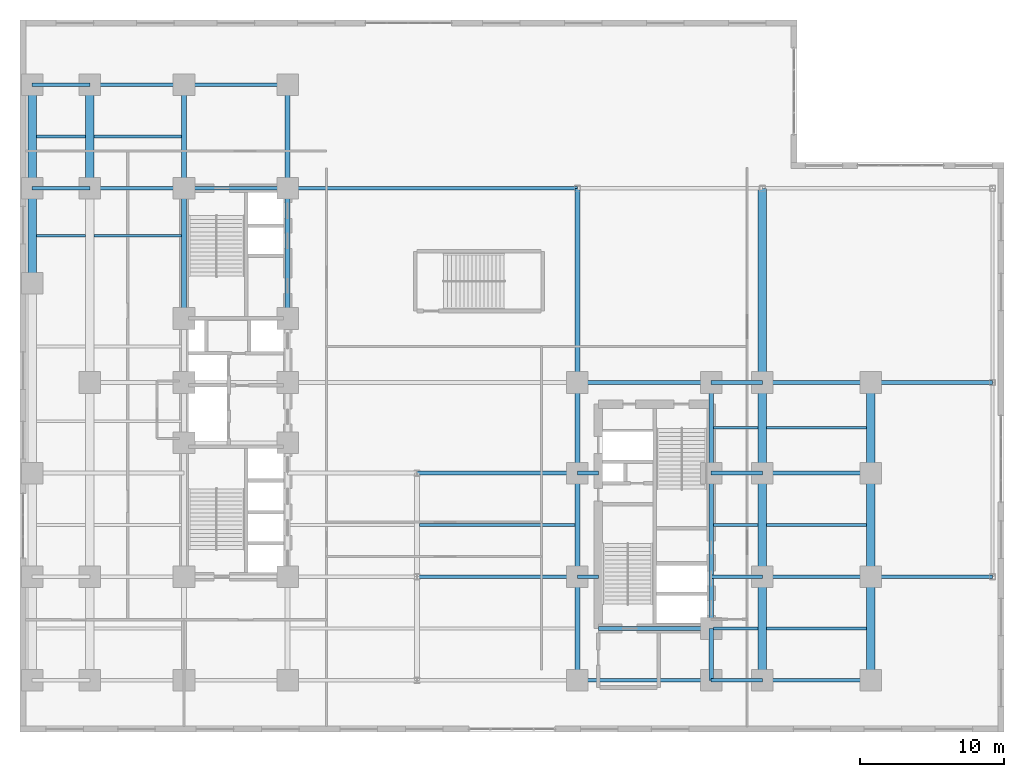
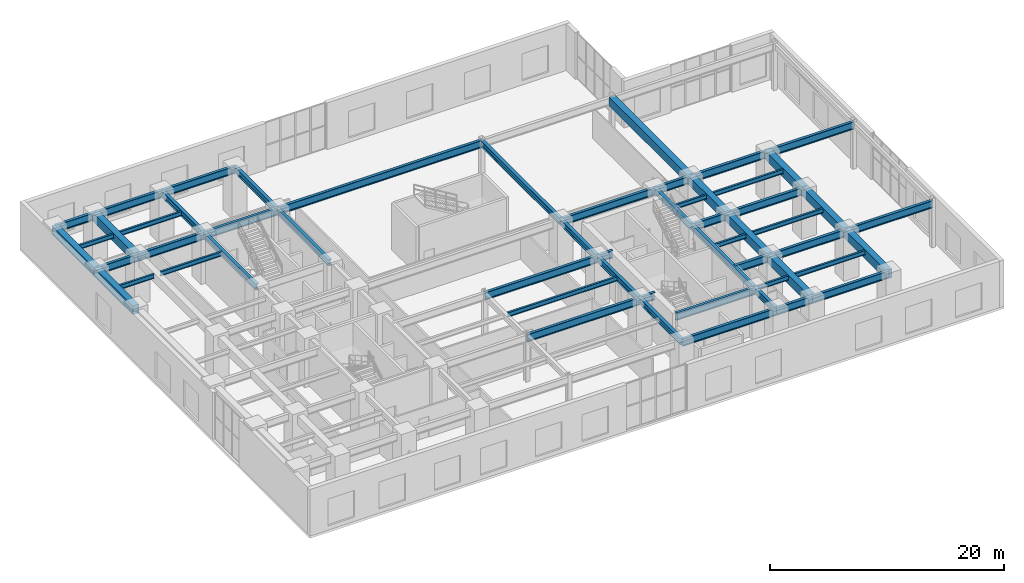
# One storey, part 11 of 23: 56 beams.
"""IFC4 building model written with IfcOpenShell, lengths in metres."""

import ifcopenshell
import ifcopenshell.guid

model = None  # the IFC model being written
_history = None  # IfcOwnerHistory: only IFC2X3 demands one
_inside = {}  # id of a spatial element -> (the spatial element, [elements in it])
_under = {}  # id of a project, library or spatial element -> (it, [spatial elements below it])
_declared = {}  # id of a project -> (the project, [libraries it declares])
_typed = {}  # id of a type object -> (the type object, [elements of that type])
_made_of = {}  # id of a material, layer set ... -> (it, [elements and type objects made of it])


def new_model(schema):
    """Start an empty IFC model of exactly this schema.

    Asked for "IFC4X3", IfcOpenShell would pick the latest addendum, in which some entities
    have other attributes; the version numbers below select the first issue.
    IFC2X3 requires an IfcOwnerHistory on every rooted entity: one is made here for all.
    """
    global model, _history
    if schema == "IFC4X3":
        model = ifcopenshell.file(schema_version=(4, 3, 0, 0))
    else:
        model = ifcopenshell.file(schema=schema)
    _inside.clear()
    _under.clear()
    _declared.clear()
    _typed.clear()
    _made_of.clear()
    _history = None
    if model.schema == "IFC2X3":
        org = make("IfcOrganization", Name="unknown")
        user = make(
            "IfcPersonAndOrganization",
            ThePerson=make("IfcPerson", FamilyName="unknown"),
            TheOrganization=org,
        )
        app = make(
            "IfcApplication",
            ApplicationDeveloper=org,
            Version="unknown",
            ApplicationFullName="unknown",
            ApplicationIdentifier="unknown",
        )
        _history = make(
            "IfcOwnerHistory",
            OwningUser=user,
            OwningApplication=app,
            ChangeAction="ADDED",
            CreationDate=0,
        )
    return model


def make(cls, **values):
    """One entity of the class cls with the attributes given. An attribute that is None is left unset."""
    return model.create_entity(
        cls, **{name: value for name, value in values.items() if value is not None}
    )


def entity(cls, *values):
    """Any entity or typed value of the class cls, its attributes in the order of the schema. None: left unset."""
    e = model.create_entity(cls)
    for i, value in enumerate(values):
        if value is not None:
            e[i] = value
    return e


def rooted(cls, **values):
    """An entity with a GlobalId (a new one), such as an element, a storey or a relation."""
    return make(cls, GlobalId=ifcopenshell.guid.new(), OwnerHistory=_history, **values)


def si_unit(unit_type, name, prefix=None):
    """IfcSIUnit, for example si_unit("LENGTHUNIT", "METRE", prefix="MILLI")."""
    return make("IfcSIUnit", UnitType=unit_type, Prefix=prefix, Name=name)


def converted_unit(unit_type, name, factor, base, dimensions=None, offset=None):
    """IfcConversionBasedUnit, such as the inch: factor (a typed value) times the base unit."""
    return make(
        "IfcConversionBasedUnit"
        if offset is None
        else "IfcConversionBasedUnitWithOffset",
        ConversionOffset=offset,
        Dimensions=None
        if dimensions is None
        else entity("IfcDimensionalExponents", *dimensions),
        UnitType=unit_type,
        Name=name,
        ConversionFactor=make(
            "IfcMeasureWithUnit", ValueComponent=factor, UnitComponent=base
        ),
    )


def assignment(units):
    """IfcUnitAssignment: the units of a project."""
    return None if units is None else make("IfcUnitAssignment", Units=units)


def point(xyz):
    """IfcCartesianPoint."""
    return None if xyz is None else make("IfcCartesianPoint", Coordinates=xyz)


def direction(xyz):
    """IfcDirection."""
    return None if xyz is None else make("IfcDirection", DirectionRatios=xyz)


def frame(location, z_axis=None, x_axis=None):
    """IfcAxis2Placement3D, a coordinate frame: its origin and axes. An axis left out is left unset."""
    return make(
        "IfcAxis2Placement3D",
        Location=point(location),
        Axis=direction(z_axis),
        RefDirection=direction(x_axis),
    )


def frame_2d(location, x_axis=None):
    """IfcAxis2Placement2D, a coordinate frame in the plane: its origin and x axis."""
    return make(
        "IfcAxis2Placement2D", Location=point(location), RefDirection=direction(x_axis)
    )


def origin_with_axes():
    """The frame at (0, 0, 0) with the z axis (0, 0, 1) and the x axis (1, 0, 0) written out."""
    return frame((0.0, 0.0, 0.0), z_axis=(0.0, 0.0, 1.0), x_axis=(1.0, 0.0, 0.0))


def origin_2d_with_axis():
    """The frame at (0, 0) in the plane with the x axis (1, 0) written out."""
    return frame_2d((0.0, 0.0), x_axis=(1.0, 0.0))


def place(relative_to, where):
    """IfcLocalPlacement: puts the frame where relative to a parent placement (None: the world)."""
    return make(
        "IfcLocalPlacement", PlacementRelTo=relative_to, RelativePlacement=where
    )


def context(
    kind, dimensions, precision=None, world=None, true_north=None, identifier=None
):
    """IfcGeometricRepresentationContext, for example the 3D "Model" context."""
    return make(
        "IfcGeometricRepresentationContext",
        ContextIdentifier=identifier,
        ContextType=kind,
        CoordinateSpaceDimension=dimensions,
        Precision=precision,
        WorldCoordinateSystem=world,
        TrueNorth=true_north,
    )


def subcontext(parent, identifier, kind, view, scale=None):
    """IfcGeometricRepresentationSubContext, for example "Body" below "Model"."""
    return make(
        "IfcGeometricRepresentationSubContext",
        ContextIdentifier=identifier,
        ContextType=kind,
        ParentContext=parent,
        TargetScale=scale,
        TargetView=view,
    )


def project(units=None, contexts=None):
    """IfcProject with its units and contexts."""
    return rooted(
        "IfcProject",
        Name="project",
        RepresentationContexts=contexts,
        UnitsInContext=assignment(units),
    )


def spatial(cls, under=None, at=None, **own):
    """A site, building, storey or space (cls), placed at a placement, below another one or the project."""
    s = rooted(cls, ObjectPlacement=at, **own)
    if under is not None:
        _under.setdefault(under.id(), (under, []))[1].append(s)
    return s


def profile(cls, at=None, kind="AREA", **sizes):
    """A parametric profile (cls). Its sizes go by their IFC names, for example OverallWidth=200.0."""
    return make(cls, ProfileType=kind, Position=at, **sizes)


def rectangle(**sizes):
    """IfcRectangleProfileDef."""
    return profile("IfcRectangleProfileDef", **sizes)


def i_section(**sizes):
    """IfcIShapeProfileDef."""
    return profile("IfcIShapeProfileDef", **sizes)


def extrude(swept, where, along, depth):
    """IfcExtrudedAreaSolid: the profile swept, set in the frame where, extruded along a direction by depth."""
    return make(
        "IfcExtrudedAreaSolid",
        SweptArea=swept,
        Position=where,
        ExtrudedDirection=direction(along),
        Depth=depth,
    )


def shape(context_of_items, identifier, shape_type, items):
    """IfcShapeRepresentation: the items that make up one representation, for example the "Body"."""
    return make(
        "IfcShapeRepresentation",
        ContextOfItems=context_of_items,
        RepresentationIdentifier=identifier,
        RepresentationType=shape_type,
        Items=items,
    )


def material(Name=None, Category=None):
    """IfcMaterial."""
    return make("IfcMaterial", Name=Name, Category=Category)


def material_profile(
    of_material, cross_section, Name=None, Category=None, Priority=None
):
    """IfcMaterialProfile: a cross section and its material."""
    return make(
        "IfcMaterialProfile",
        Name=Name,
        Material=of_material,
        Profile=cross_section,
        Priority=Priority,
        Category=Category,
    )


def profile_set(profiles, Name=None, composite=None):
    """IfcMaterialProfileSet."""
    return make(
        "IfcMaterialProfileSet",
        Name=Name,
        MaterialProfiles=profiles,
        CompositeProfile=composite,
    )


def made_of(thing, what):
    """Note that an element or type object is made of a material, layer set ...; save() writes the relation."""
    if what is not None:
        _made_of.setdefault(what.id(), (what, []))[1].append(thing)
    return thing


def type_object(cls, material=None, **own):
    """A type object (cls), such as IfcWallType, which elements share."""
    return made_of(rooted(cls, **own), material)


def element(
    cls,
    number,
    at=None,
    inside=None,
    cuts=None,
    type_object=None,
    material=None,
    context=None,
    identifier="Body",
    shape_type=None,
    held_by="IfcProductDefinitionShape",
    body=None,
    shapes=None,
    **own,
):
    """One element of the class cls, such as IfcWall. Its Tag is "e" and its number.

    at: its placement. inside: the storey or other place that contains it. cuts: it is an
    opening in that element (IfcRelVoidsElement). A single representation is given by context,
    identifier, shape_type and body (its items); several are given by shapes. held_by: the class
    of the entity that holds the representations. save() writes the other relations.
    """
    e = rooted(cls, Tag="e%d" % number, ObjectPlacement=at, **own)
    if body is not None:
        shapes = [shape(context, identifier, shape_type, body)]
    if shapes is not None:
        e.Representation = make(held_by, Representations=shapes)
    if inside is not None:
        _inside.setdefault(inside.id(), (inside, []))[1].append(e)
    if cuts is not None:
        rooted(
            "IfcRelVoidsElement", RelatingBuildingElement=cuts, RelatedOpeningElement=e
        )
    if type_object is not None:
        _typed.setdefault(type_object.id(), (type_object, []))[1].append(e)
    return made_of(e, material)


def aggregate(whole, parts):
    """IfcRelAggregates: a whole, such as a stair, and the parts it consists of."""
    return rooted("IfcRelAggregates", RelatingObject=whole, RelatedObjects=parts)


def save(model, path):
    """Write the relations noted so far, then the file.

    IfcRelAggregates (storeys below a building ...), IfcRelContainedInSpatialStructure (elements
    in a storey), IfcRelDefinesByType, IfcRelAssociatesMaterial and IfcRelDeclares: one each for
    every whole, place, type object, material and project.
    """
    for whole, parts in _under.values():
        aggregate(whole, parts)
    for where, things in _inside.values():
        rooted(
            "IfcRelContainedInSpatialStructure",
            RelatedElements=things,
            RelatingStructure=where,
        )
    for kind, things in _typed.values():
        rooted("IfcRelDefinesByType", RelatedObjects=things, RelatingType=kind)
    for what, things in _made_of.values():
        rooted("IfcRelAssociatesMaterial", RelatedObjects=things, RelatingMaterial=what)
    for by, libraries in _declared.values():
        rooted("IfcRelDeclares", RelatingContext=by, RelatedDefinitions=libraries)
    model.write(path)


model = new_model("IFC4")

# Units and contexts
model_context = context("Model", 3, precision=1e-05, world=origin_with_axes(), true_north=direction((0.0, 1.0)))
body_context = subcontext(model_context, "Body", "Model", "MODEL_VIEW")
ifc_project = project(units=[si_unit("LENGTHUNIT", "METRE"), si_unit("AREAUNIT", "SQUARE_METRE"), si_unit("VOLUMEUNIT", "CUBIC_METRE"), converted_unit("PLANEANGLEUNIT", "DEGREE", entity("IfcPlaneAngleMeasure", 0.017453292519943295), si_unit("PLANEANGLEUNIT", "RADIAN"), dimensions=[0, 0, 0, 0, 0, 0, 0]), si_unit("MASSUNIT", "GRAM", prefix="KILO"), si_unit("THERMODYNAMICTEMPERATUREUNIT", "KELVIN")], contexts=[model_context])

# Site, building, storey
site_placement = place(None, origin_with_axes())
site = spatial("IfcSite", under=ifc_project, at=site_placement, CompositionType="ELEMENT")
building_placement = place(site_placement, origin_with_axes())
building = spatial("IfcBuilding", under=site, at=building_placement, Name="Varnlund Millrace Tower", CompositionType="ELEMENT")
storey_placement = place(building_placement, frame((0.0, 0.0, 5.7), z_axis=(0.0, 0.0, 1.0), x_axis=(1.0, 0.0, 0.0)))
storey = spatial("IfcBuildingStorey", under=building, at=storey_placement, Name="L01", CompositionType="ELEMENT", Elevation=5.7)

# Beams
ifc_material_1 = material(Name="Steel ASTM A992 Grade 50", Category="steel")
ifc_material_profile_1 = material_profile(ifc_material_1, i_section(OverallWidth=0.328, OverallDepth=0.628, WebThickness=0.0165, FlangeThickness=0.0277, FilletRadius=0.018, at=origin_2d_with_axis()), Name="Steel ASTM A992 Grade 50")
ifc_profile_set_1 = profile_set([ifc_material_profile_1], Name="Steel ASTM A992 Grade 50")
beam_type_1 = type_object("IfcBeamType", Name="Type-Girder-W24X146", PredefinedType="USERDEFINED", material=ifc_profile_set_1)
beam_1_placement = place(storey_placement, frame((11.4, 28.75, 4.546), z_axis=(0.0, 1.0, 0.0), x_axis=(-1.0, 0.0, 0.0)))
element("IfcBeam", 1, at=beam_1_placement, inside=storey, type_object=beam_type_1, Name="Type-Girder-W24X146", ObjectType="GIRDER", PredefinedType="USERDEFINED", context=body_context, shape_type="SweptSolid", body=[
    extrude(i_section(OverallWidth=0.328, OverallDepth=0.628, WebThickness=0.0165, FlangeThickness=0.0277, FilletRadius=0.018, at=origin_2d_with_axis()), origin_with_axes(), (0.0, 0.0, 1.0), 9.05),
])
beam_2_placement = place(storey_placement, frame((11.4, 37.8, 4.546), z_axis=(0.0, 1.0, 0.0), x_axis=(-1.0, 0.0, 0.0)))
element("IfcBeam", 2, at=beam_2_placement, inside=storey, type_object=beam_type_1, Name="Type-Girder-W24X146", ObjectType="GIRDER", PredefinedType="USERDEFINED", context=body_context, shape_type="SweptSolid", body=[
    extrude(i_section(OverallWidth=0.328, OverallDepth=0.628, WebThickness=0.0165, FlangeThickness=0.0277, FilletRadius=0.018, at=origin_2d_with_axis()), origin_with_axes(), (0.0, 0.0, 1.0), 7.2),
])
beam_3_placement = place(storey_placement, frame((18.6, 28.75, 4.546), z_axis=(0.0, 1.0, 0.0), x_axis=(-1.0, 0.0, 0.0)))
element("IfcBeam", 3, at=beam_3_placement, inside=storey, type_object=beam_type_1, Name="Type-Girder-W24X146", ObjectType="GIRDER", PredefinedType="USERDEFINED", context=body_context, shape_type="SweptSolid", body=[
    extrude(i_section(OverallWidth=0.328, OverallDepth=0.628, WebThickness=0.0165, FlangeThickness=0.0277, FilletRadius=0.018, at=origin_2d_with_axis()), origin_with_axes(), (0.0, 0.0, 1.0), 9.05),
])
for number, where, z_axis, x_axis, name in (
    (4, (18.6, 37.8, 4.546), (0.0, 1.0, 0.0), (-1.0, 0.0, 0.0), "Type-Girder-W24X146"),
    (5, (38.75, 3.6, 4.546), (0.0, 1.0, 0.0), (-1.0, 0.0, 0.0), "Type-Girder-W24X146"),
    (6, (38.75, 10.8, 4.546), (0.0, 1.0, 0.0), (-1.0, 0.0, 0.0), "Type-Girder-W24X146"),
):
    element("IfcBeam", number, at=place(storey_placement, frame(where, z_axis=z_axis, x_axis=x_axis)), inside=storey, type_object=beam_type_1, Name=name, ObjectType="GIRDER", PredefinedType="USERDEFINED", context=body_context, shape_type="SweptSolid", body=[
        extrude(i_section(OverallWidth=0.328, OverallDepth=0.628, WebThickness=0.0165, FlangeThickness=0.0277, FilletRadius=0.018, at=origin_2d_with_axis()), origin_with_axes(), (0.0, 0.0, 1.0), 7.2),
    ])
beam_4_placement = place(storey_placement, frame((38.75, 18.0, 4.546), z_axis=(0.0, 1.0, 0.0), x_axis=(-1.0, 0.0, 0.0)))
element("IfcBeam", 7, at=beam_4_placement, inside=storey, type_object=beam_type_1, Name="Type-Girder-W24X146", ObjectType="GIRDER", PredefinedType="USERDEFINED", context=body_context, shape_type="SweptSolid", body=[
    extrude(i_section(OverallWidth=0.328, OverallDepth=0.628, WebThickness=0.0165, FlangeThickness=0.0277, FilletRadius=0.018, at=origin_2d_with_axis()), origin_with_axes(), (0.0, 0.0, 1.0), 6.3),
])
beam_5_placement = place(storey_placement, frame((38.75, 24.3, 4.546), z_axis=(0.0, 1.0, 0.0), x_axis=(-1.0, 0.0, 0.0)))
element("IfcBeam", 8, at=beam_5_placement, inside=storey, type_object=beam_type_1, Name="Type-Girder-W24X146", ObjectType="GIRDER", PredefinedType="USERDEFINED", context=body_context, shape_type="SweptSolid", body=[
    extrude(i_section(OverallWidth=0.328, OverallDepth=0.628, WebThickness=0.0165, FlangeThickness=0.0277, FilletRadius=0.018, at=origin_2d_with_axis()), origin_with_axes(), (0.0, 0.0, 1.0), 13.5),
])
beam_6_placement = place(storey_placement, frame((48.05, 3.6, 4.546), z_axis=(0.0, 1.0, 0.0), x_axis=(-1.0, 0.0, 0.0)))
element("IfcBeam", 9, at=beam_6_placement, inside=storey, type_object=beam_type_1, Name="Type-Girder-W24X146", ObjectType="GIRDER", PredefinedType="USERDEFINED", context=body_context, shape_type="SweptSolid", body=[
    extrude(i_section(OverallWidth=0.328, OverallDepth=0.628, WebThickness=0.0165, FlangeThickness=0.0277, FilletRadius=0.018, at=origin_2d_with_axis()), origin_with_axes(), (0.0, 0.0, 1.0), 3.6),
])
beam_7_placement = place(storey_placement, frame((48.05, 7.2, 4.546), z_axis=(0.0, 1.0, 0.0), x_axis=(-1.0, 0.0, 0.0)))
element("IfcBeam", 10, at=beam_7_placement, inside=storey, type_object=beam_type_1, Name="Type-Girder-W24X146", ObjectType="GIRDER", PredefinedType="USERDEFINED", context=body_context, shape_type="SweptSolid", body=[
    extrude(i_section(OverallWidth=0.328, OverallDepth=0.628, WebThickness=0.0165, FlangeThickness=0.0277, FilletRadius=0.018, at=origin_2d_with_axis()), origin_with_axes(), (0.0, 0.0, 1.0), 10.8),
])
beam_8_placement = place(storey_placement, frame((48.05, 18.0, 4.546), z_axis=(0.0, 1.0, 0.0), x_axis=(-1.0, 0.0, 0.0)))
element("IfcBeam", 11, at=beam_8_placement, inside=storey, type_object=beam_type_1, Name="Type-Girder-W24X146", ObjectType="GIRDER", PredefinedType="USERDEFINED", context=body_context, shape_type="SweptSolid", body=[
    extrude(i_section(OverallWidth=0.328, OverallDepth=0.628, WebThickness=0.0165, FlangeThickness=0.0277, FilletRadius=0.018, at=origin_2d_with_axis()), origin_with_axes(), (0.0, 0.0, 1.0), 6.3),
])
ifc_material_profile_2 = material_profile(ifc_material_1, i_section(OverallWidth=0.266, OverallDepth=0.779, WebThickness=0.0165, FlangeThickness=0.03, FilletRadius=0.02, at=origin_2d_with_axis()), Name="Steel ASTM A992 Grade 50")
ifc_profile_set_2 = profile_set([ifc_material_profile_2], Name="Steel ASTM A992 Grade 50")
beam_type_2 = type_object("IfcBeamType", Name="Type-Girder-W30X148", PredefinedType="USERDEFINED", material=ifc_profile_set_2)
beam_9_placement = place(storey_placement, frame((38.75, 3.6, 4.4705), z_axis=(1.0, 0.0, 0.0), x_axis=(0.0, 1.0, 0.0)))
element("IfcBeam", 12, at=beam_9_placement, inside=storey, type_object=beam_type_2, Name="Type-Girder-W30X148", ObjectType="GIRDER", PredefinedType="USERDEFINED", context=body_context, shape_type="SweptSolid", body=[
    extrude(i_section(OverallWidth=0.266, OverallDepth=0.779, WebThickness=0.0165, FlangeThickness=0.03, FilletRadius=0.02, at=origin_2d_with_axis()), origin_with_axes(), (0.0, 0.0, 1.0), 9.3),
])
beam_10_placement = place(storey_placement, frame((48.05, 3.6, 4.4705), z_axis=(1.0, 0.0, 0.0), x_axis=(0.0, 1.0, 0.0)))
element("IfcBeam", 13, at=beam_10_placement, inside=storey, type_object=beam_type_2, Name="Type-Girder-W30X148", ObjectType="GIRDER", PredefinedType="USERDEFINED", context=body_context, shape_type="SweptSolid", body=[
    extrude(i_section(OverallWidth=0.266, OverallDepth=0.779, WebThickness=0.0165, FlangeThickness=0.03, FilletRadius=0.02, at=origin_2d_with_axis()), origin_with_axes(), (0.0, 0.0, 1.0), 3.55),
])
beam_11_placement = place(storey_placement, frame((51.6, 3.6, 4.4705), z_axis=(1.0, 0.0, 0.0), x_axis=(0.0, 1.0, 0.0)))
element("IfcBeam", 14, at=beam_11_placement, inside=storey, type_object=beam_type_2, Name="Type-Girder-W30X148", ObjectType="GIRDER", PredefinedType="USERDEFINED", context=body_context, shape_type="SweptSolid", body=[
    extrude(i_section(OverallWidth=0.266, OverallDepth=0.779, WebThickness=0.0165, FlangeThickness=0.03, FilletRadius=0.02, at=origin_2d_with_axis()), origin_with_axes(), (0.0, 0.0, 1.0), 7.55),
])
beam_12_placement = place(storey_placement, frame((40.2, 7.2, 4.4705), z_axis=(1.0, 0.0, 0.0), x_axis=(0.0, 1.0, 0.0)))
element("IfcBeam", 15, at=beam_12_placement, inside=storey, type_object=beam_type_2, Name="Type-Girder-W30X148", ObjectType="GIRDER", PredefinedType="USERDEFINED", context=body_context, shape_type="SweptSolid", body=[
    extrude(i_section(OverallWidth=0.266, OverallDepth=0.779, WebThickness=0.0165, FlangeThickness=0.03, FilletRadius=0.02, at=origin_2d_with_axis()), origin_with_axes(), (0.0, 0.0, 1.0), 7.85),
])
beam_13_placement = place(storey_placement, frame((27.6, 10.8, 4.4705), z_axis=(1.0, 0.0, 0.0), x_axis=(0.0, 1.0, 0.0)))
element("IfcBeam", 16, at=beam_13_placement, inside=storey, type_object=beam_type_2, Name="Type-Girder-W30X148", ObjectType="GIRDER", PredefinedType="USERDEFINED", context=body_context, shape_type="SweptSolid", body=[
    extrude(i_section(OverallWidth=0.266, OverallDepth=0.779, WebThickness=0.0165, FlangeThickness=0.03, FilletRadius=0.02, at=origin_2d_with_axis()), origin_with_axes(), (0.0, 0.0, 1.0), 11.15),
])
beam_14_placement = place(storey_placement, frame((38.75, 10.8, 4.4705), z_axis=(1.0, 0.0, 0.0), x_axis=(0.0, 1.0, 0.0)))
element("IfcBeam", 17, at=beam_14_placement, inside=storey, type_object=beam_type_2, Name="Type-Girder-W30X148", ObjectType="GIRDER", PredefinedType="USERDEFINED", context=body_context, shape_type="SweptSolid", body=[
    extrude(i_section(OverallWidth=0.266, OverallDepth=0.779, WebThickness=0.0165, FlangeThickness=0.03, FilletRadius=0.02, at=origin_2d_with_axis()), origin_with_axes(), (0.0, 0.0, 1.0), 1.45),
])
beam_15_placement = place(storey_placement, frame((48.05, 10.8, 4.4705), z_axis=(1.0, 0.0, 0.0), x_axis=(0.0, 1.0, 0.0)))
element("IfcBeam", 18, at=beam_15_placement, inside=storey, type_object=beam_type_2, Name="Type-Girder-W30X148", ObjectType="GIRDER", PredefinedType="USERDEFINED", context=body_context, shape_type="SweptSolid", body=[
    extrude(i_section(OverallWidth=0.266, OverallDepth=0.779, WebThickness=0.0165, FlangeThickness=0.03, FilletRadius=0.02, at=origin_2d_with_axis()), origin_with_axes(), (0.0, 0.0, 1.0), 3.55),
])
beam_16_placement = place(storey_placement, frame((51.6, 10.8, 4.4705), z_axis=(1.0, 0.0, 0.0), x_axis=(0.0, 1.0, 0.0)))
element("IfcBeam", 19, at=beam_16_placement, inside=storey, type_object=beam_type_2, Name="Type-Girder-W30X148", ObjectType="GIRDER", PredefinedType="USERDEFINED", context=body_context, shape_type="SweptSolid", body=[
    extrude(i_section(OverallWidth=0.266, OverallDepth=0.779, WebThickness=0.0165, FlangeThickness=0.03, FilletRadius=0.02, at=origin_2d_with_axis()), origin_with_axes(), (0.0, 0.0, 1.0), 7.55),
])
beam_17_placement = place(storey_placement, frame((59.15, 10.8, 4.4705), z_axis=(1.0, 0.0, 0.0), x_axis=(0.0, 1.0, 0.0)))
element("IfcBeam", 20, at=beam_17_placement, inside=storey, type_object=beam_type_2, Name="Type-Girder-W30X148", ObjectType="GIRDER", PredefinedType="USERDEFINED", context=body_context, shape_type="SweptSolid", body=[
    extrude(i_section(OverallWidth=0.266, OverallDepth=0.779, WebThickness=0.0165, FlangeThickness=0.03, FilletRadius=0.02, at=origin_2d_with_axis()), origin_with_axes(), (0.0, 0.0, 1.0), 8.45),
])
beam_18_placement = place(storey_placement, frame((27.6, 18.0, 4.4705), z_axis=(1.0, 0.0, 0.0), x_axis=(0.0, 1.0, 0.0)))
element("IfcBeam", 21, at=beam_18_placement, inside=storey, type_object=beam_type_2, Name="Type-Girder-W30X148", ObjectType="GIRDER", PredefinedType="USERDEFINED", context=body_context, shape_type="SweptSolid", body=[
    extrude(i_section(OverallWidth=0.266, OverallDepth=0.779, WebThickness=0.0165, FlangeThickness=0.03, FilletRadius=0.02, at=origin_2d_with_axis()), origin_with_axes(), (0.0, 0.0, 1.0), 11.15),
])
beam_19_placement = place(storey_placement, frame((38.75, 18.0, 4.4705), z_axis=(1.0, 0.0, 0.0), x_axis=(0.0, 1.0, 0.0)))
element("IfcBeam", 22, at=beam_19_placement, inside=storey, type_object=beam_type_2, Name="Type-Girder-W30X148", ObjectType="GIRDER", PredefinedType="USERDEFINED", context=body_context, shape_type="SweptSolid", body=[
    extrude(i_section(OverallWidth=0.266, OverallDepth=0.779, WebThickness=0.0165, FlangeThickness=0.03, FilletRadius=0.02, at=origin_2d_with_axis()), origin_with_axes(), (0.0, 0.0, 1.0), 1.45),
])
beam_20_placement = place(storey_placement, frame((48.05, 18.0, 4.4705), z_axis=(1.0, 0.0, 0.0), x_axis=(0.0, 1.0, 0.0)))
element("IfcBeam", 23, at=beam_20_placement, inside=storey, type_object=beam_type_2, Name="Type-Girder-W30X148", ObjectType="GIRDER", PredefinedType="USERDEFINED", context=body_context, shape_type="SweptSolid", body=[
    extrude(i_section(OverallWidth=0.266, OverallDepth=0.779, WebThickness=0.0165, FlangeThickness=0.03, FilletRadius=0.02, at=origin_2d_with_axis()), origin_with_axes(), (0.0, 0.0, 1.0), 3.55),
])
beam_21_placement = place(storey_placement, frame((51.6, 18.0, 4.4705), z_axis=(1.0, 0.0, 0.0), x_axis=(0.0, 1.0, 0.0)))
element("IfcBeam", 24, at=beam_21_placement, inside=storey, type_object=beam_type_2, Name="Type-Girder-W30X148", ObjectType="GIRDER", PredefinedType="USERDEFINED", context=body_context, shape_type="SweptSolid", body=[
    extrude(i_section(OverallWidth=0.266, OverallDepth=0.779, WebThickness=0.0165, FlangeThickness=0.03, FilletRadius=0.02, at=origin_2d_with_axis()), origin_with_axes(), (0.0, 0.0, 1.0), 7.55),
])
beam_22_placement = place(storey_placement, frame((38.75, 24.3, 4.4705), z_axis=(1.0, 0.0, 0.0), x_axis=(0.0, 1.0, 0.0)))
element("IfcBeam", 25, at=beam_22_placement, inside=storey, type_object=beam_type_2, Name="Type-Girder-W30X148", ObjectType="GIRDER", PredefinedType="USERDEFINED", context=body_context, shape_type="SweptSolid", body=[
    extrude(i_section(OverallWidth=0.266, OverallDepth=0.779, WebThickness=0.0165, FlangeThickness=0.03, FilletRadius=0.02, at=origin_2d_with_axis()), origin_with_axes(), (0.0, 0.0, 1.0), 9.3),
])
beam_23_placement = place(storey_placement, frame((48.05, 24.3, 4.4705), z_axis=(1.0, 0.0, 0.0), x_axis=(0.0, 1.0, 0.0)))
element("IfcBeam", 26, at=beam_23_placement, inside=storey, type_object=beam_type_2, Name="Type-Girder-W30X148", ObjectType="GIRDER", PredefinedType="USERDEFINED", context=body_context, shape_type="SweptSolid", body=[
    extrude(i_section(OverallWidth=0.266, OverallDepth=0.779, WebThickness=0.0165, FlangeThickness=0.03, FilletRadius=0.02, at=origin_2d_with_axis()), origin_with_axes(), (0.0, 0.0, 1.0), 3.55),
])
beam_24_placement = place(storey_placement, frame((51.6, 24.3, 4.4705), z_axis=(1.0, 0.0, 0.0), x_axis=(0.0, 1.0, 0.0)))
element("IfcBeam", 27, at=beam_24_placement, inside=storey, type_object=beam_type_2, Name="Type-Girder-W30X148", ObjectType="GIRDER", PredefinedType="USERDEFINED", context=body_context, shape_type="SweptSolid", body=[
    extrude(i_section(OverallWidth=0.266, OverallDepth=0.779, WebThickness=0.0165, FlangeThickness=0.03, FilletRadius=0.02, at=origin_2d_with_axis()), origin_with_axes(), (0.0, 0.0, 1.0), 7.55),
])
beam_25_placement = place(storey_placement, frame((59.15, 24.3, 4.4705), z_axis=(1.0, 0.0, 0.0), x_axis=(0.0, 1.0, 0.0)))
element("IfcBeam", 28, at=beam_25_placement, inside=storey, type_object=beam_type_2, Name="Type-Girder-W30X148", ObjectType="GIRDER", PredefinedType="USERDEFINED", context=body_context, shape_type="SweptSolid", body=[
    extrude(i_section(OverallWidth=0.266, OverallDepth=0.779, WebThickness=0.0165, FlangeThickness=0.03, FilletRadius=0.02, at=origin_2d_with_axis()), origin_with_axes(), (0.0, 0.0, 1.0), 8.45),
])
beam_26_placement = place(storey_placement, frame((0.85, 37.8, 4.4705), z_axis=(1.0, 0.0, 0.0), x_axis=(0.0, 1.0, 0.0)))
element("IfcBeam", 29, at=beam_26_placement, inside=storey, type_object=beam_type_2, Name="Type-Girder-W30X148", ObjectType="GIRDER", PredefinedType="USERDEFINED", context=body_context, shape_type="SweptSolid", body=[
    extrude(i_section(OverallWidth=0.266, OverallDepth=0.779, WebThickness=0.0165, FlangeThickness=0.03, FilletRadius=0.02, at=origin_2d_with_axis()), origin_with_axes(), (0.0, 0.0, 1.0), 4.0),
])
beam_27_placement = place(storey_placement, frame((4.85, 37.8, 4.4705), z_axis=(1.0, 0.0, 0.0), x_axis=(0.0, 1.0, 0.0)))
element("IfcBeam", 30, at=beam_27_placement, inside=storey, type_object=beam_type_2, Name="Type-Girder-W30X148", ObjectType="GIRDER", PredefinedType="USERDEFINED", context=body_context, shape_type="SweptSolid", body=[
    extrude(i_section(OverallWidth=0.266, OverallDepth=0.779, WebThickness=0.0165, FlangeThickness=0.03, FilletRadius=0.02, at=origin_2d_with_axis()), origin_with_axes(), (0.0, 0.0, 1.0), 6.55),
])
beam_28_placement = place(storey_placement, frame((11.4, 37.8, 4.4705), z_axis=(1.0, 0.0, 0.0), x_axis=(0.0, 1.0, 0.0)))
element("IfcBeam", 31, at=beam_28_placement, inside=storey, type_object=beam_type_2, Name="Type-Girder-W30X148", ObjectType="GIRDER", PredefinedType="USERDEFINED", context=body_context, shape_type="SweptSolid", body=[
    extrude(i_section(OverallWidth=0.266, OverallDepth=0.779, WebThickness=0.0165, FlangeThickness=0.03, FilletRadius=0.02, at=origin_2d_with_axis()), origin_with_axes(), (0.0, 0.0, 1.0), 7.2),
])
beam_29_placement = place(storey_placement, frame((18.6, 37.8, 4.4705), z_axis=(1.0, 0.0, 0.0), x_axis=(0.0, 1.0, 0.0)))
element("IfcBeam", 32, at=beam_29_placement, inside=storey, type_object=beam_type_2, Name="Type-Girder-W30X148", ObjectType="GIRDER", PredefinedType="USERDEFINED", context=body_context, shape_type="SweptSolid", body=[
    extrude(i_section(OverallWidth=0.266, OverallDepth=0.779, WebThickness=0.0165, FlangeThickness=0.03, FilletRadius=0.02, at=origin_2d_with_axis()), origin_with_axes(), (0.0, 0.0, 1.0), 20.15),
])
beam_30_placement = place(storey_placement, frame((0.85, 45.0, 4.4705), z_axis=(1.0, 0.0, 0.0), x_axis=(0.0, 1.0, 0.0)))
element("IfcBeam", 33, at=beam_30_placement, inside=storey, type_object=beam_type_2, Name="Type-Girder-W30X148", ObjectType="GIRDER", PredefinedType="USERDEFINED", context=body_context, shape_type="SweptSolid", body=[
    extrude(i_section(OverallWidth=0.266, OverallDepth=0.779, WebThickness=0.0165, FlangeThickness=0.03, FilletRadius=0.02, at=origin_2d_with_axis()), origin_with_axes(), (0.0, 0.0, 1.0), 4.0),
])
beam_31_placement = place(storey_placement, frame((4.85, 45.0, 4.4705), z_axis=(1.0, 0.0, 0.0), x_axis=(0.0, 1.0, 0.0)))
element("IfcBeam", 34, at=beam_31_placement, inside=storey, type_object=beam_type_2, Name="Type-Girder-W30X148", ObjectType="GIRDER", PredefinedType="USERDEFINED", context=body_context, shape_type="SweptSolid", body=[
    extrude(i_section(OverallWidth=0.266, OverallDepth=0.779, WebThickness=0.0165, FlangeThickness=0.03, FilletRadius=0.02, at=origin_2d_with_axis()), origin_with_axes(), (0.0, 0.0, 1.0), 6.55),
])
beam_32_placement = place(storey_placement, frame((11.4, 45.0, 4.4705), z_axis=(1.0, 0.0, 0.0), x_axis=(0.0, 1.0, 0.0)))
element("IfcBeam", 35, at=beam_32_placement, inside=storey, type_object=beam_type_2, Name="Type-Girder-W30X148", ObjectType="GIRDER", PredefinedType="USERDEFINED", context=body_context, shape_type="SweptSolid", body=[
    extrude(i_section(OverallWidth=0.266, OverallDepth=0.779, WebThickness=0.0165, FlangeThickness=0.03, FilletRadius=0.02, at=origin_2d_with_axis()), origin_with_axes(), (0.0, 0.0, 1.0), 7.2),
])
ifc_material_profile_3 = material_profile(ifc_material_1, i_section(OverallWidth=0.191, OverallDepth=0.457, WebThickness=0.009, FlangeThickness=0.0145, FilletRadius=0.013, at=origin_2d_with_axis()), Name="Steel ASTM A992 Grade 50")
ifc_profile_set_3 = profile_set([ifc_material_profile_3], Name="Steel ASTM A992 Grade 50")
beam_type_3 = type_object("IfcBeamType", Name="Type-Joist-W18X50", PredefinedType="JOIST", material=ifc_profile_set_3)
for number, where, z_axis, x_axis, name in (
    (36, (1.15, 34.5, 4.6315), (1.0, 0.0, 0.0), (0.0, 1.0, 0.0), "Type-Joist-W18X50"),
    (37, (1.15, 41.4, 4.6315), (1.0, 0.0, 0.0), (0.0, 1.0, 0.0), "Type-Joist-W18X50"),
):
    element("IfcBeam", number, at=place(storey_placement, frame(where, z_axis=z_axis, x_axis=x_axis)), inside=storey, type_object=beam_type_3, Name=name, PredefinedType="JOIST", context=body_context, shape_type="SweptSolid", body=[
        extrude(i_section(OverallWidth=0.191, OverallDepth=0.457, WebThickness=0.009, FlangeThickness=0.0145, FilletRadius=0.013, at=origin_2d_with_axis()), origin_with_axes(), (0.0, 0.0, 1.0), 3.4),
    ])
for number, where, z_axis, x_axis, name in (
    (38, (5.15, 34.5, 4.6315), (1.0, 0.0, 0.0), (0.0, 1.0, 0.0), "Type-Joist-W18X50"),
    (39, (5.15, 41.4, 4.6315), (1.0, 0.0, 0.0), (0.0, 1.0, 0.0), "Type-Joist-W18X50"),
):
    element("IfcBeam", number, at=place(storey_placement, frame(where, z_axis=z_axis, x_axis=x_axis)), inside=storey, type_object=beam_type_3, Name=name, PredefinedType="JOIST", context=body_context, shape_type="SweptSolid", body=[
        extrude(i_section(OverallWidth=0.191, OverallDepth=0.457, WebThickness=0.009, FlangeThickness=0.0145, FilletRadius=0.013, at=origin_2d_with_axis()), origin_with_axes(), (0.0, 0.0, 1.0), 6.086),
    ])
for number, where, z_axis, x_axis, name in (
    (40, (48.214, 7.2, 4.6315), (1.0, 0.0, 0.0), (0.0, 1.0, 0.0), "Type-Joist-W18X50"),
    (41, (48.214, 14.4, 4.6315), (1.0, 0.0, 0.0), (0.0, 1.0, 0.0), "Type-Joist-W18X50"),
    (42, (48.214, 21.15, 4.6315), (1.0, 0.0, 0.0), (0.0, 1.0, 0.0), "Type-Joist-W18X50"),
):
    element("IfcBeam", number, at=place(storey_placement, frame(where, z_axis=z_axis, x_axis=x_axis)), inside=storey, type_object=beam_type_3, Name=name, PredefinedType="JOIST", context=body_context, shape_type="SweptSolid", body=[
        extrude(i_section(OverallWidth=0.191, OverallDepth=0.457, WebThickness=0.009, FlangeThickness=0.0145, FilletRadius=0.013, at=origin_2d_with_axis()), origin_with_axes(), (0.0, 0.0, 1.0), 3.086),
    ])
for number, where, z_axis, x_axis, name in (
    (43, (51.9, 7.2, 4.6315), (1.0, 0.0, 0.0), (0.0, 1.0, 0.0), "Type-Joist-W18X50"),
    (44, (51.9, 14.4, 4.6315), (1.0, 0.0, 0.0), (0.0, 1.0, 0.0), "Type-Joist-W18X50"),
    (45, (51.9, 21.15, 4.6315), (1.0, 0.0, 0.0), (0.0, 1.0, 0.0), "Type-Joist-W18X50"),
):
    element("IfcBeam", number, at=place(storey_placement, frame(where, z_axis=z_axis, x_axis=x_axis)), inside=storey, type_object=beam_type_3, Name=name, PredefinedType="JOIST", context=body_context, shape_type="SweptSolid", body=[
        extrude(i_section(OverallWidth=0.191, OverallDepth=0.457, WebThickness=0.009, FlangeThickness=0.0145, FilletRadius=0.013, at=origin_2d_with_axis()), origin_with_axes(), (0.0, 0.0, 1.0), 6.95),
    ])
beam_33_placement = place(storey_placement, frame((27.764, 14.4, 4.6315), z_axis=(1.0, 0.0, 0.0), x_axis=(0.0, 1.0, 0.0)))
element("IfcBeam", 46, at=beam_33_placement, inside=storey, type_object=beam_type_3, Name="Type-Joist-W18X50", PredefinedType="JOIST", context=body_context, shape_type="SweptSolid", body=[
    extrude(i_section(OverallWidth=0.191, OverallDepth=0.457, WebThickness=0.009, FlangeThickness=0.0145, FilletRadius=0.013, at=origin_2d_with_axis()), origin_with_axes(), (0.0, 0.0, 1.0), 10.822),
])
ifc_material_2 = material(Name="Concrete C70/85", Category="concrete")
ifc_material_profile_4 = material_profile(ifc_material_2, rectangle(XDim=0.6, YDim=0.9, at=origin_2d_with_axis()), Name="Concrete C70/85")
ifc_profile_set_4 = profile_set([ifc_material_profile_4], Name="Concrete C70/85")
beam_type_4 = type_object("IfcBeamType", Name="Type-Spandrel-RC600X900", PredefinedType="SPANDREL", material=ifc_profile_set_4)
beam_34_placement = place(storey_placement, frame((0.85, 31.2, 4.41), z_axis=(0.0, 1.0, 0.0), x_axis=(-1.0, 0.0, 0.0)))
element("IfcBeam", 47, at=beam_34_placement, inside=storey, type_object=beam_type_4, Name="Type-Spandrel-RC600X900", PredefinedType="SPANDREL", context=body_context, shape_type="SweptSolid", body=[
    extrude(rectangle(XDim=0.6, YDim=0.9, at=origin_2d_with_axis()), origin_with_axes(), (0.0, 0.0, 1.0), 6.6),
])
for number, where, z_axis, x_axis, name in (
    (48, (0.85, 37.8, 4.41), (0.0, 1.0, 0.0), (-1.0, 0.0, 0.0), "Type-Spandrel-RC600X900"),
    (49, (4.85, 37.8, 4.41), (0.0, 1.0, 0.0), (-1.0, 0.0, 0.0), "Type-Spandrel-RC600X900"),
    (50, (51.6, 3.6, 4.41), (0.0, 1.0, 0.0), (-1.0, 0.0, 0.0), "Type-Spandrel-RC600X900"),
    (51, (51.6, 10.8, 4.41), (0.0, 1.0, 0.0), (-1.0, 0.0, 0.0), "Type-Spandrel-RC600X900"),
):
    element("IfcBeam", number, at=place(storey_placement, frame(where, z_axis=z_axis, x_axis=x_axis)), inside=storey, type_object=beam_type_4, Name=name, PredefinedType="SPANDREL", context=body_context, shape_type="SweptSolid", body=[
        extrude(rectangle(XDim=0.6, YDim=0.9, at=origin_2d_with_axis()), origin_with_axes(), (0.0, 0.0, 1.0), 7.2),
    ])
beam_35_placement = place(storey_placement, frame((51.6, 18.0, 4.41), z_axis=(0.0, 1.0, 0.0), x_axis=(-1.0, 0.0, 0.0)))
element("IfcBeam", 52, at=beam_35_placement, inside=storey, type_object=beam_type_4, Name="Type-Spandrel-RC600X900", PredefinedType="SPANDREL", context=body_context, shape_type="SweptSolid", body=[
    extrude(rectangle(XDim=0.6, YDim=0.9, at=origin_2d_with_axis()), origin_with_axes(), (0.0, 0.0, 1.0), 6.3),
])
beam_36_placement = place(storey_placement, frame((51.6, 24.3, 4.41), z_axis=(0.0, 1.0, 0.0), x_axis=(-1.0, 0.0, 0.0)))
element("IfcBeam", 53, at=beam_36_placement, inside=storey, type_object=beam_type_4, Name="Type-Spandrel-RC600X900", PredefinedType="SPANDREL", context=body_context, shape_type="SweptSolid", body=[
    extrude(rectangle(XDim=0.6, YDim=0.9, at=origin_2d_with_axis()), origin_with_axes(), (0.0, 0.0, 1.0), 13.5),
])
for number, where, z_axis, x_axis, name in (
    (54, (59.15, 3.6, 4.41), (0.0, 1.0, 0.0), (-1.0, 0.0, 0.0), "Type-Spandrel-RC600X900"),
    (55, (59.15, 10.8, 4.41), (0.0, 1.0, 0.0), (-1.0, 0.0, 0.0), "Type-Spandrel-RC600X900"),
):
    element("IfcBeam", number, at=place(storey_placement, frame(where, z_axis=z_axis, x_axis=x_axis)), inside=storey, type_object=beam_type_4, Name=name, PredefinedType="SPANDREL", context=body_context, shape_type="SweptSolid", body=[
        extrude(rectangle(XDim=0.6, YDim=0.9, at=origin_2d_with_axis()), origin_with_axes(), (0.0, 0.0, 1.0), 7.2),
    ])
beam_37_placement = place(storey_placement, frame((59.15, 18.0, 4.41), z_axis=(0.0, 1.0, 0.0), x_axis=(-1.0, 0.0, 0.0)))
element("IfcBeam", 56, at=beam_37_placement, inside=storey, type_object=beam_type_4, Name="Type-Spandrel-RC600X900", PredefinedType="SPANDREL", context=body_context, shape_type="SweptSolid", body=[
    extrude(rectangle(XDim=0.6, YDim=0.9, at=origin_2d_with_axis()), origin_with_axes(), (0.0, 0.0, 1.0), 6.3),
])

save(model, "model.ifc")
